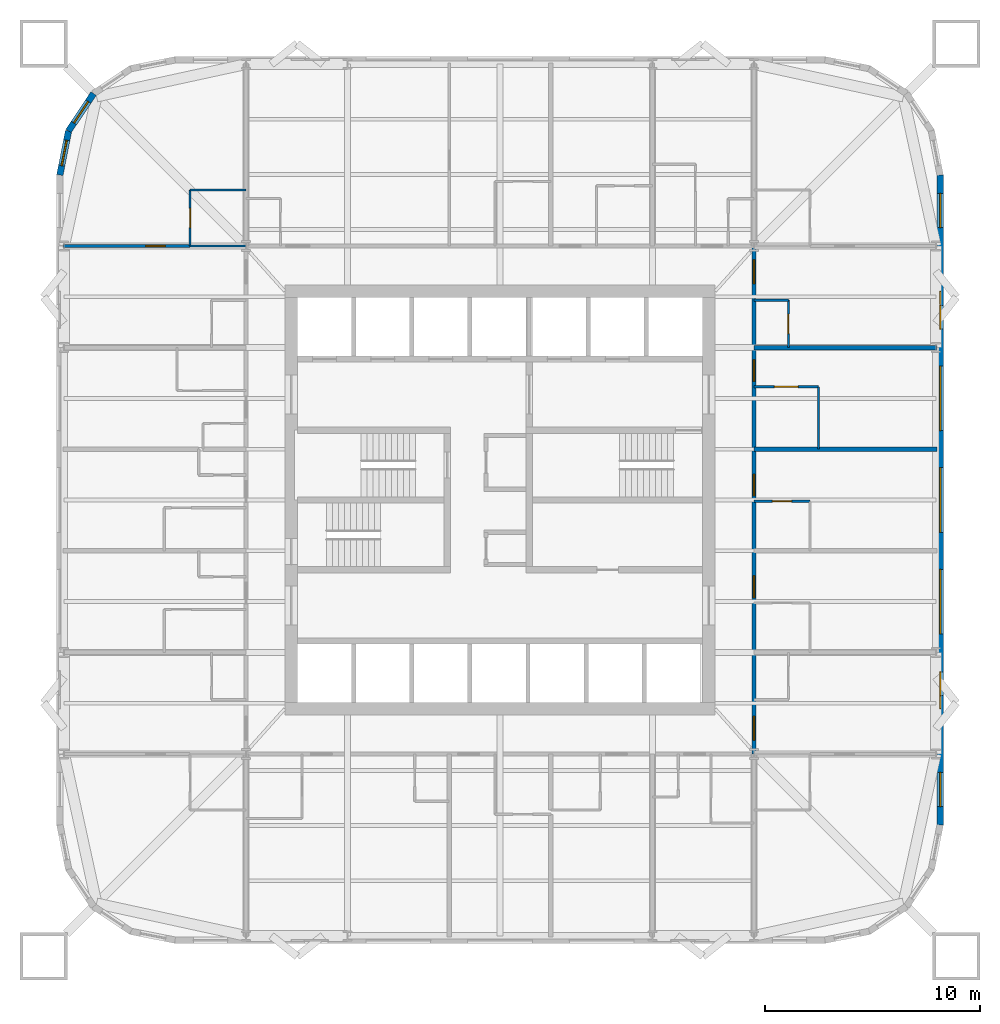
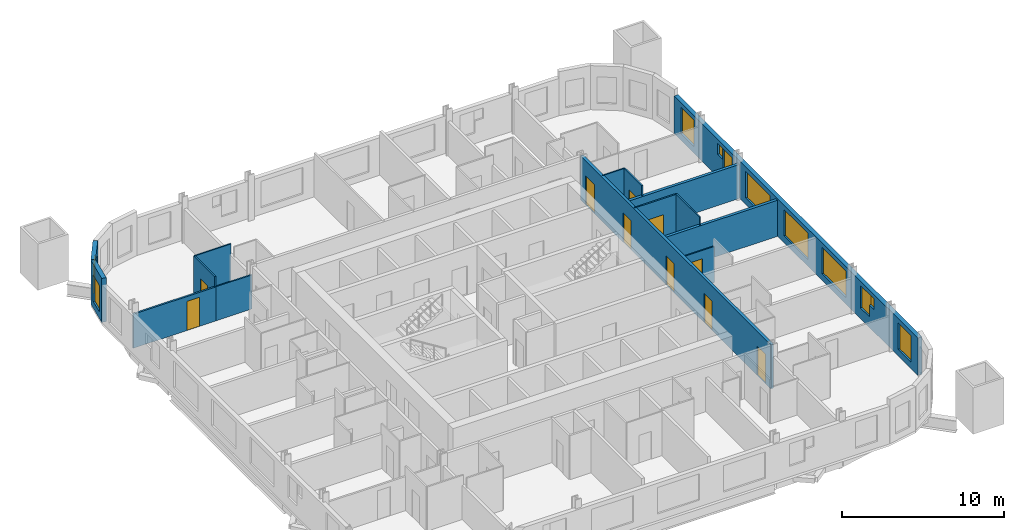
# One storey, part 7 of 10: 15 walls, 11 windows, 10 doors, 21 openings.
"""IFC4 building model written with IfcOpenShell, lengths in metres."""

from ifc_helpers import new_model, si_unit, direction, frame, frame_2d, origin, place, context, subcontext, project, spatial, rectangle, extrude, material, layer, layer_set, type_object, element, fill, save


model = new_model("IFC4")

# Units and contexts
model_context = context("Model", 3, precision=1e-05, world=origin(), true_north=direction((0.0, 1.0)))
body_context = subcontext(model_context, "Body", "Model", "MODEL_VIEW")
ifc_project = project(units=[si_unit("LENGTHUNIT", "METRE"), si_unit("AREAUNIT", "SQUARE_METRE"), si_unit("VOLUMEUNIT", "CUBIC_METRE"), si_unit("PLANEANGLEUNIT", "RADIAN"), si_unit("MASSUNIT", "GRAM", prefix="KILO")], contexts=[model_context])

# Site, building, storey
site_placement = place(None, origin())
site = spatial("IfcSite", under=ifc_project, at=site_placement, CompositionType="ELEMENT")
building_placement = place(site_placement, origin())
building = spatial("IfcBuilding", under=site, at=building_placement, Name="Turquesa Mirador Hotel Tower", CompositionType="ELEMENT")
storey_placement = place(building_placement, frame((0.0, 0.0, 138.89990234375)))
storey = spatial("IfcBuildingStorey", under=building, at=storey_placement, Name="L37", CompositionType="ELEMENT", Elevation=138.89990234375)

# Wall, opening, door
ifc_material_1 = material(Name="Gypsum board on steel studs", Category="steel")
ifc_layer_1 = layer(ifc_material_1, 0.10009765625)
ifc_layer_set_1 = layer_set([ifc_layer_1], Name="BATHROOM WALL 100")
wall_type_1 = type_object("IfcWallType", Name="BATHROOM WALL 100", PredefinedType="PARTITIONING", material=ifc_layer_set_1)
wall_1_placement = place(storey_placement, frame((66.800048828125, 44.93994140625, 0.0), z_axis=(0.0, 0.0, 1.0), x_axis=(1.0, 0.0, 0.0)))
wall_1 = element("IfcWall", 1, at=wall_1_placement, inside=storey, type_object=wall_type_1, Name="Partition L37 001", PredefinedType="PARTITIONING", context=body_context, shape_type="SweptSolid", body=[
    extrude(rectangle(XDim=2.599853515625, YDim=0.10009765625, at=frame_2d((1.2998046875, 0.0))), origin(), (0.0, 0.0, 1.0), 2.730712890625),
])
opening_1_placement = place(wall_1_placement, frame((0.85009765625, 0.0, 0.0)))
opening_1 = element("IfcOpeningElement", 2, at=opening_1_placement, cuts=wall_1, Name="Opening D02", PredefinedType="OPENING", context=body_context, shape_type="SweptSolid", body=[
    extrude(rectangle(XDim=0.89990234375, YDim=2.10009765625, at=frame_2d((0.449951171875, 1.050048828125))), frame((0.0, 0.06005859375, 0.0), z_axis=(0.0, -1.0, 0.0), x_axis=(1.0, 0.0, 0.0)), (0.0, 0.0, 1.0), 0.1201171875),
])
ifc_material_2 = material(Name="Timber veneered door", Category="wood")
door_type_1 = type_object("IfcDoorType", Name="DOOR 900X2100 EN-SUITE", OperationType="SINGLE_SWING_RIGHT", PredefinedType="DOOR", material=ifc_material_2)
door_1_placement = place(opening_1_placement, origin())
door_1 = element("IfcDoor", 3, at=door_1_placement, inside=storey, type_object=door_type_1, Name="Door 3709B", OperationType="SINGLE_SWING_RIGHT", OverallHeight=2.10009765625, OverallWidth=0.89990234375, PredefinedType="DOOR", context=body_context, shape_type="SweptSolid", body=[
    extrude(rectangle(XDim=0.89990234375, YDim=2.10009765625, at=frame_2d((0.449951171875, 1.050048828125))), frame((0.0, 0.02490234375, 0.0), z_axis=(0.0, -1.0, 0.0), x_axis=(1.0, 0.0, 0.0)), (0.0, 0.0, 1.0), 0.050048828125),
])
fill(opening_1, door_1)

# Walls
wall_2_placement = place(storey_placement, frame((40.60009765625, 56.800048828125, 0.0), z_axis=(0.0, 0.0, 1.0), x_axis=(1.0, 0.0, 0.0)))
element("IfcWall", 4, at=wall_2_placement, inside=storey, type_object=wall_type_1, Name="Partition L37 026", PredefinedType="PARTITIONING", context=body_context, shape_type="SweptSolid", body=[
    extrude(rectangle(XDim=2.599853515625, YDim=0.10009765625, at=frame_2d((1.2998046875, 0.0))), origin(), (0.0, 0.0, 1.0), 2.5732421875),
])
wall_3_placement = place(storey_placement, frame((40.60009765625, 59.39990234375, 0.0), z_axis=(0.0, 0.0, 1.0), x_axis=(1.0, 0.0, 0.0)))
element("IfcWall", 5, at=wall_3_placement, inside=storey, type_object=wall_type_1, Name="Partition L37 033", PredefinedType="PARTITIONING", context=body_context, shape_type="SweptSolid", body=[
    extrude(rectangle(XDim=2.599853515625, YDim=0.10009765625, at=frame_2d((1.2998046875, 0.0))), origin(), (0.0, 0.0, 1.0), 3.330078125),
])

# Wall, opening, door
wall_4_placement = place(storey_placement, frame((66.800048828125, 50.260009765625, 0.0), z_axis=(0.0, 0.0, 1.0), x_axis=(1.0, 0.0, 0.0)))
wall_4 = element("IfcWall", 6, at=wall_4_placement, inside=storey, type_object=wall_type_1, Name="Partition L37 043", PredefinedType="PARTITIONING", context=body_context, shape_type="SweptSolid", body=[
    extrude(rectangle(XDim=3.0, YDim=0.10009765625, at=frame_2d((1.5, 0.0))), origin(), (0.0, 0.0, 1.0), 3.330078125),
])
opening_2_placement = place(wall_4_placement, frame((0.949951171875, 0.0, 0.0)))
opening_2 = element("IfcOpeningElement", 7, at=opening_2_placement, cuts=wall_4, Name="Opening D16", PredefinedType="OPENING", context=body_context, shape_type="SweptSolid", body=[
    extrude(rectangle(XDim=1.10009765625, YDim=2.10009765625, at=frame_2d((0.550048828125, 1.050048828125))), frame((0.0, 0.06005859375, 0.0), z_axis=(0.0, -1.0, 0.0), x_axis=(1.0, 0.0, 0.0)), (0.0, 0.0, 1.0), 0.1201171875),
])
ifc_material_3 = material(Name="Timber veneered sliding door", Category="wood")
door_type_2 = type_object("IfcDoorType", Name="DOOR 1100X2100 ACCESSIBLE EN-SUITE", OperationType="SLIDING_TO_LEFT", PredefinedType="DOOR", material=ifc_material_3)
door_2_placement = place(opening_2_placement, origin())
door_2 = element("IfcDoor", 8, at=door_2_placement, inside=storey, type_object=door_type_2, Name="Door 3710B", OperationType="SLIDING_TO_LEFT", OverallHeight=2.10009765625, OverallWidth=1.10009765625, PredefinedType="DOOR", context=body_context, shape_type="SweptSolid", body=[
    extrude(rectangle(XDim=1.10009765625, YDim=2.10009765625, at=frame_2d((0.550048828125, 1.050048828125))), frame((0.0, 0.02490234375, 0.0), z_axis=(0.0, -1.0, 0.0), x_axis=(1.0, 0.0, 0.0)), (0.0, 0.0, 1.0), 0.050048828125),
])
fill(opening_2, door_2)

# Wall
wall_5_placement = place(storey_placement, frame((66.800048828125, 54.280029296875, 0.0), z_axis=(0.0, 0.0, 1.0), x_axis=(1.0, 0.0, 0.0)))
element("IfcWall", 9, at=wall_5_placement, inside=storey, type_object=wall_type_1, Name="Partition L37 047", PredefinedType="PARTITIONING", context=body_context, shape_type="SweptSolid", body=[
    extrude(rectangle(XDim=1.599853515625, YDim=0.10009765625, at=frame_2d((0.7998046875, 0.0))), origin(), (0.0, 0.0, 1.0), 3.330078125),
])

# Wall, opening, door
wall_6_placement = place(storey_placement, frame((40.60009765625, 56.800048828125, 0.0), z_axis=(0.0, 0.0, 1.0), x_axis=(0.0, 1.0, 0.0)))
wall_6 = element("IfcWall", 10, at=wall_6_placement, inside=storey, type_object=wall_type_1, Name="Partition L37 060", PredefinedType="PARTITIONING", context=body_context, shape_type="SweptSolid", body=[
    extrude(rectangle(XDim=2.599853515625, YDim=0.10009765625, at=frame_2d((1.2998046875, 0.0))), origin(), (0.0, 0.0, 1.0), 3.330078125),
])
opening_3_placement = place(wall_6_placement, frame((0.85009765625, 0.0, 0.0)))
opening_3 = element("IfcOpeningElement", 11, at=opening_3_placement, cuts=wall_6, Name="Opening D02", PredefinedType="OPENING", context=body_context, shape_type="SweptSolid", body=[
    extrude(rectangle(XDim=0.89990234375, YDim=2.10009765625, at=frame_2d((0.449951171875, 1.050048828125))), frame((0.0, 0.06005859375, 0.0), z_axis=(0.0, -1.0, 0.0), x_axis=(1.0, 0.0, 0.0)), (0.0, 0.0, 1.0), 0.1201171875),
])
door_3_placement = place(opening_3_placement, origin())
door_3 = element("IfcDoor", 12, at=door_3_placement, inside=storey, type_object=door_type_1, Name="Door 3715B", OperationType="SINGLE_SWING_RIGHT", OverallHeight=2.10009765625, OverallWidth=0.89990234375, PredefinedType="DOOR", context=body_context, shape_type="SweptSolid", body=[
    extrude(rectangle(XDim=0.89990234375, YDim=2.10009765625, at=frame_2d((0.449951171875, 1.050048828125))), frame((0.0, 0.02490234375, 0.0), z_axis=(0.0, -1.0, 0.0), x_axis=(1.0, 0.0, 0.0)), (0.0, 0.0, 1.0), 0.050048828125),
])
fill(opening_3, door_3)

wall_7_placement = place(storey_placement, frame((68.39990234375, 52.080078125, 0.0), z_axis=(0.0, 0.0, 1.0), x_axis=(0.0, 1.0, 0.0)))
wall_7 = element("IfcWall", 13, at=wall_7_placement, inside=storey, type_object=wall_type_1, Name="Partition L37 073", PredefinedType="PARTITIONING", context=body_context, shape_type="SweptSolid", body=[
    extrude(rectangle(XDim=2.199951171875, YDim=0.10009765625, at=frame_2d((1.10009765625, 0.0))), origin(), (0.0, 0.0, 1.0), 3.330078125),
])
opening_4_placement = place(wall_7_placement, frame((0.64990234375, 0.0, 0.0)))
opening_4 = element("IfcOpeningElement", 14, at=opening_4_placement, cuts=wall_7, Name="Opening D06", PredefinedType="OPENING", context=body_context, shape_type="SweptSolid", body=[
    extrude(rectangle(XDim=0.89990234375, YDim=2.10009765625, at=frame_2d((0.449951171875, 1.050048828125))), frame((0.0, 0.06005859375, 0.0), z_axis=(0.0, -1.0, 0.0), x_axis=(1.0, 0.0, 0.0)), (0.0, 0.0, 1.0), 0.1201171875),
])
ifc_material_4 = material(Name="Laminate door", Category="wood")
door_type_3 = type_object("IfcDoorType", Name="DOOR 900X2100 WC", OperationType="SINGLE_SWING_LEFT", PredefinedType="DOOR", material=ifc_material_4)
door_4_placement = place(opening_4_placement, origin())
door_4 = element("IfcDoor", 15, at=door_4_placement, inside=storey, type_object=door_type_3, Name="Door 3714W", OperationType="SINGLE_SWING_LEFT", OverallHeight=2.10009765625, OverallWidth=0.89990234375, PredefinedType="DOOR", context=body_context, shape_type="SweptSolid", body=[
    extrude(rectangle(XDim=0.89990234375, YDim=2.10009765625, at=frame_2d((0.449951171875, 1.050048828125))), frame((0.0, 0.02490234375, 0.0), z_axis=(0.0, -1.0, 0.0), x_axis=(1.0, 0.0, 0.0)), (0.0, 0.0, 1.0), 0.050048828125),
])
fill(opening_4, door_4)

# Wall
wall_8_placement = place(storey_placement, frame((69.800048828125, 47.360107421875, 0.0), z_axis=(0.0, 0.0, 1.0), x_axis=(0.0, 1.0, 0.0)))
element("IfcWall", 16, at=wall_8_placement, inside=storey, type_object=wall_type_1, Name="Partition L37 078", PredefinedType="PARTITIONING", context=body_context, shape_type="SweptSolid", body=[
    extrude(rectangle(XDim=2.89990234375, YDim=0.10009765625, at=frame_2d((1.449951171875, 0.0))), origin(), (0.0, 0.0, 1.0), 3.330078125),
])

# Wall, openings, doors
ifc_material_5 = material(Name="Fire-rated gypsum board on steel studs", Category="steel")
ifc_layer_2 = layer(ifc_material_5, 0.199951171875)
ifc_layer_set_2 = layer_set([ifc_layer_2], Name="CORRIDOR WALL 200")
wall_type_2 = type_object("IfcWallType", Name="CORRIDOR WALL 200", PredefinedType="PARTITIONING", material=ifc_layer_set_2)
wall_9_placement = place(storey_placement, frame((66.800048828125, 33.199951171875, 0.0), z_axis=(0.0, 0.0, 1.0), x_axis=(0.0, 1.0, 0.0)))
wall_9 = element("IfcWall", 17, at=wall_9_placement, inside=storey, type_object=wall_type_2, Name="Partition L37 069", PredefinedType="PARTITIONING", context=body_context, shape_type="SweptSolid", body=[
    extrude(rectangle(XDim=23.60009765625, YDim=0.199951171875, at=frame_2d((11.800048828125, 0.0))), origin(), (0.0, 0.0, 1.0), 3.330078125),
])
opening_5_placement = place(wall_9_placement, frame((7.27001953125, 0.0, 0.0)))
opening_5 = element("IfcOpeningElement", 18, at=opening_5_placement, cuts=wall_9, Name="Opening D01", PredefinedType="OPENING", context=body_context, shape_type="SweptSolid", body=[
    extrude(rectangle(XDim=1.0, YDim=2.199951171875, at=frame_2d((0.5, 1.10009765625))), frame((0.0, 0.10986328125, 0.0), z_axis=(0.0, -1.0, 0.0), x_axis=(1.0, 0.0, 0.0)), (0.0, 0.0, 1.0), 0.219970703125),
])
opening_6_placement = place(wall_9_placement, frame((11.989990234375, 0.0, 0.0)))
opening_6 = element("IfcOpeningElement", 19, at=opening_6_placement, cuts=wall_9, Name="Opening D01", PredefinedType="OPENING", context=body_context, shape_type="SweptSolid", body=[
    extrude(rectangle(XDim=1.0, YDim=2.199951171875, at=frame_2d((0.5, 1.10009765625))), frame((0.0, 0.10986328125, 0.0), z_axis=(0.0, -1.0, 0.0), x_axis=(1.0, 0.0, 0.0)), (0.0, 0.0, 1.0), 0.219970703125),
])
opening_7_placement = place(wall_9_placement, frame((17.31005859375, 0.0, 0.0)))
opening_7 = element("IfcOpeningElement", 20, at=opening_7_placement, cuts=wall_9, Name="Opening D01", PredefinedType="OPENING", context=body_context, shape_type="SweptSolid", body=[
    extrude(rectangle(XDim=1.0, YDim=2.199951171875, at=frame_2d((0.5, 1.10009765625))), frame((0.0, 0.10986328125, 0.0), z_axis=(0.0, -1.0, 0.0), x_axis=(1.0, 0.0, 0.0)), (0.0, 0.0, 1.0), 0.219970703125),
])
opening_8_placement = place(wall_9_placement, frame((21.85009765625, 0.0, 0.0)))
opening_8 = element("IfcOpeningElement", 21, at=opening_8_placement, cuts=wall_9, Name="Opening D15", PredefinedType="OPENING", context=body_context, shape_type="SweptSolid", body=[
    extrude(rectangle(XDim=1.10009765625, YDim=2.199951171875, at=frame_2d((0.550048828125, 1.10009765625))), frame((0.0, 0.10986328125, 0.0), z_axis=(0.0, -1.0, 0.0), x_axis=(1.0, 0.0, 0.0)), (0.0, 0.0, 1.0), 0.219970703125),
])
opening_9_placement = place(wall_9_placement, frame((0.64990234375, 0.0, 0.0)))
opening_9 = element("IfcOpeningElement", 22, at=opening_9_placement, cuts=wall_9, Name="Opening D15", PredefinedType="OPENING", context=body_context, shape_type="SweptSolid", body=[
    extrude(rectangle(XDim=1.10009765625, YDim=2.199951171875, at=frame_2d((0.550048828125, 1.10009765625))), frame((0.0, 0.10986328125, 0.0), z_axis=(0.0, -1.0, 0.0), x_axis=(1.0, 0.0, 0.0)), (0.0, 0.0, 1.0), 0.219970703125),
])
ifc_material_6 = material(Name="Timber veneered fire door", Category="wood")
door_type_4 = type_object("IfcDoorType", Name="DOOR 1000X2200 GUEST ENTRY", OperationType="SINGLE_SWING_LEFT", PredefinedType="DOOR", material=ifc_material_6)
door_5_placement = place(opening_5_placement, origin())
door_5 = element("IfcDoor", 23, at=door_5_placement, inside=storey, type_object=door_type_4, Name="Door 3708", OperationType="SINGLE_SWING_LEFT", OverallHeight=2.199951171875, OverallWidth=1.0, PredefinedType="DOOR", context=body_context, shape_type="SweptSolid", body=[
    extrude(rectangle(XDim=1.0, YDim=2.199951171875, at=frame_2d((0.5, 1.10009765625))), frame((0.0, 0.02490234375, 0.0), z_axis=(0.0, -1.0, 0.0), x_axis=(1.0, 0.0, 0.0)), (0.0, 0.0, 1.0), 0.050048828125),
])
fill(opening_5, door_5)
door_6_placement = place(opening_6_placement, origin())
door_6 = element("IfcDoor", 24, at=door_6_placement, inside=storey, type_object=door_type_4, Name="Door 3709", OperationType="SINGLE_SWING_LEFT", OverallHeight=2.199951171875, OverallWidth=1.0, PredefinedType="DOOR", context=body_context, shape_type="SweptSolid", body=[
    extrude(rectangle(XDim=1.0, YDim=2.199951171875, at=frame_2d((0.5, 1.10009765625))), frame((0.0, 0.02490234375, 0.0), z_axis=(0.0, -1.0, 0.0), x_axis=(1.0, 0.0, 0.0)), (0.0, 0.0, 1.0), 0.050048828125),
])
fill(opening_6, door_6)
door_7_placement = place(opening_7_placement, origin())
door_7 = element("IfcDoor", 25, at=door_7_placement, inside=storey, type_object=door_type_4, Name="Door 3710", OperationType="SINGLE_SWING_LEFT", OverallHeight=2.199951171875, OverallWidth=1.0, PredefinedType="DOOR", context=body_context, shape_type="SweptSolid", body=[
    extrude(rectangle(XDim=1.0, YDim=2.199951171875, at=frame_2d((0.5, 1.10009765625))), frame((0.0, 0.02490234375, 0.0), z_axis=(0.0, -1.0, 0.0), x_axis=(1.0, 0.0, 0.0)), (0.0, 0.0, 1.0), 0.050048828125),
])
fill(opening_7, door_7)
ifc_material_7 = material(Name="Timber veneered fire door", Category="wood")
door_type_5 = type_object("IfcDoorType", Name="DOOR 1100X2200 SUITE ENTRY", OperationType="SINGLE_SWING_LEFT", PredefinedType="DOOR", material=ifc_material_7)
door_8_placement = place(opening_8_placement, origin())
door_8 = element("IfcDoor", 26, at=door_8_placement, inside=storey, type_object=door_type_5, Name="Door 3714", OperationType="SINGLE_SWING_LEFT", OverallHeight=2.199951171875, OverallWidth=1.10009765625, PredefinedType="DOOR", context=body_context, shape_type="SweptSolid", body=[
    extrude(rectangle(XDim=1.10009765625, YDim=2.199951171875, at=frame_2d((0.550048828125, 1.10009765625))), frame((0.0, 0.02490234375, 0.0), z_axis=(0.0, -1.0, 0.0), x_axis=(1.0, 0.0, 0.0)), (0.0, 0.0, 1.0), 0.050048828125),
])
fill(opening_8, door_8)
door_9_placement = place(opening_9_placement, origin())
door_9 = element("IfcDoor", 27, at=door_9_placement, inside=storey, type_object=door_type_5, Name="Door 3717", OperationType="SINGLE_SWING_LEFT", OverallHeight=2.199951171875, OverallWidth=1.10009765625, PredefinedType="DOOR", context=body_context, shape_type="SweptSolid", body=[
    extrude(rectangle(XDim=1.10009765625, YDim=2.199951171875, at=frame_2d((0.550048828125, 1.10009765625))), frame((0.0, 0.02490234375, 0.0), z_axis=(0.0, -1.0, 0.0), x_axis=(1.0, 0.0, 0.0)), (0.0, 0.0, 1.0), 0.050048828125),
])
fill(opening_9, door_9)

# Wall, openings, windows
ifc_material_8 = material(Name="Limestone cladding on concrete block", Category="masonry")
ifc_layer_3 = layer(ifc_material_8, 0.300048828125)
ifc_layer_set_3 = layer_set([ifc_layer_3], Name="FACADE WALL 300 STONE SCREEN")
wall_type_3 = type_object("IfcWallType", Name="FACADE WALL 300 STONE SCREEN", PredefinedType="SOLIDWALL", material=ifc_layer_set_3)
wall_10_placement = place(storey_placement, frame((75.449951171875, 29.89990234375, 0.0), z_axis=(0.0, 0.0, 1.0), x_axis=(0.0, 1.0, 0.0)))
wall_10 = element("IfcWall", 28, at=wall_10_placement, inside=storey, type_object=wall_type_3, Name="Facade wall L37 04", PredefinedType="SOLIDWALL", context=body_context, shape_type="SweptSolid", body=[
    extrude(rectangle(XDim=30.2001953125, YDim=0.300048828125, at=frame_2d((15.10009765625, 0.0))), origin(), (0.0, 0.0, 1.0), 2.830078125),
])
opening_10_placement = place(wall_10_placement, frame((0.85009765625, 0.0, 0.5)))
opening_10 = element("IfcOpeningElement", 29, at=opening_10_placement, cuts=wall_10, Name="Opening WN3", PredefinedType="OPENING", context=body_context, shape_type="SweptSolid", body=[
    extrude(rectangle(XDim=1.60009765625, YDim=2.0, at=frame_2d((0.800048828125, 1.0))), frame((0.0, 0.159912109375, 0.0), z_axis=(0.0, -1.0, 0.0), x_axis=(1.0, 0.0, 0.0)), (0.0, 0.0, 1.0), 0.320068359375),
])
opening_11_placement = place(wall_10_placement, frame((6.010009765625, 0.0, 0.800048828125)))
opening_11 = element("IfcOpeningElement", 30, at=opening_11_placement, cuts=wall_10, Name="Opening WN26", PredefinedType="OPENING", context=body_context, shape_type="SweptSolid", body=[
    extrude(rectangle(XDim=1.10009765625, YDim=1.699951171875, at=frame_2d((0.550048828125, 0.85009765625))), frame((0.0, 0.159912109375, 0.0), z_axis=(0.0, -1.0, 0.0), x_axis=(1.0, 0.0, 0.0)), (0.0, 0.0, 1.0), 0.320068359375),
])
opening_12_placement = place(wall_10_placement, frame((8.8798828125, 0.0, 0.5)))
opening_12 = element("IfcOpeningElement", 31, at=opening_12_placement, cuts=wall_10, Name="Opening WN1", PredefinedType="OPENING", context=body_context, shape_type="SweptSolid", body=[
    extrude(rectangle(XDim=3.0, YDim=2.0, at=frame_2d((1.5, 1.0))), frame((0.0, 0.159912109375, 0.0), z_axis=(0.0, -1.0, 0.0), x_axis=(1.0, 0.0, 0.0)), (0.0, 0.0, 1.0), 0.320068359375),
])
opening_13_placement = place(wall_10_placement, frame((13.60009765625, 0.0, 0.5)))
opening_13 = element("IfcOpeningElement", 32, at=opening_13_placement, cuts=wall_10, Name="Opening WN1", PredefinedType="OPENING", context=body_context, shape_type="SweptSolid", body=[
    extrude(rectangle(XDim=3.0, YDim=2.0, at=frame_2d((1.5, 1.0))), frame((0.0, 0.159912109375, 0.0), z_axis=(0.0, -1.0, 0.0), x_axis=(1.0, 0.0, 0.0)), (0.0, 0.0, 1.0), 0.320068359375),
])
opening_14_placement = place(wall_10_placement, frame((18.320068359375, 0.0, 0.5)))
opening_14 = element("IfcOpeningElement", 33, at=opening_14_placement, cuts=wall_10, Name="Opening WN1", PredefinedType="OPENING", context=body_context, shape_type="SweptSolid", body=[
    extrude(rectangle(XDim=3.0, YDim=2.0, at=frame_2d((1.5, 1.0))), frame((0.0, 0.159912109375, 0.0), z_axis=(0.0, -1.0, 0.0), x_axis=(1.0, 0.0, 0.0)), (0.0, 0.0, 1.0), 0.320068359375),
])
opening_15_placement = place(wall_10_placement, frame((23.0400390625, 0.0, 0.800048828125)))
opening_15 = element("IfcOpeningElement", 34, at=opening_15_placement, cuts=wall_10, Name="Opening WN26", PredefinedType="OPENING", context=body_context, shape_type="SweptSolid", body=[
    extrude(rectangle(XDim=1.10009765625, YDim=1.699951171875, at=frame_2d((0.550048828125, 0.85009765625))), frame((0.0, 0.159912109375, 0.0), z_axis=(0.0, -1.0, 0.0), x_axis=(1.0, 0.0, 0.0)), (0.0, 0.0, 1.0), 0.320068359375),
])
opening_16_placement = place(wall_10_placement, frame((27.75, 0.0, 0.5)))
opening_16 = element("IfcOpeningElement", 35, at=opening_16_placement, cuts=wall_10, Name="Opening WN3", PredefinedType="OPENING", context=body_context, shape_type="SweptSolid", body=[
    extrude(rectangle(XDim=1.60009765625, YDim=2.0, at=frame_2d((0.800048828125, 1.0))), frame((0.0, 0.159912109375, 0.0), z_axis=(0.0, -1.0, 0.0), x_axis=(1.0, 0.0, 0.0)), (0.0, 0.0, 1.0), 0.320068359375),
])
opening_17_placement = place(wall_10_placement, frame((5.409912109375, 0.0, 1.699951171875)))
opening_17 = element("IfcOpeningElement", 36, at=opening_17_placement, cuts=wall_10, Name="Opening WN28", PredefinedType="OPENING", context=body_context, shape_type="SweptSolid", body=[
    extrude(rectangle(XDim=0.60009765625, YDim=0.800048828125, at=frame_2d((0.300048828125, 0.39990234375))), frame((0.0, 0.159912109375, 0.0), z_axis=(0.0, -1.0, 0.0), x_axis=(1.0, 0.0, 0.0)), (0.0, 0.0, 1.0), 0.320068359375),
])
opening_18_placement = place(wall_10_placement, frame((24.18994140625, 0.0, 1.699951171875)))
opening_18 = element("IfcOpeningElement", 37, at=opening_18_placement, cuts=wall_10, Name="Opening WN28", PredefinedType="OPENING", context=body_context, shape_type="SweptSolid", body=[
    extrude(rectangle(XDim=0.60009765625, YDim=0.800048828125, at=frame_2d((0.300048828125, 0.39990234375))), frame((0.0, 0.159912109375, 0.0), z_axis=(0.0, -1.0, 0.0), x_axis=(1.0, 0.0, 0.0)), (0.0, 0.0, 1.0), 0.320068359375),
])
ifc_material_9 = material(Name="Ceramic-fritted laminated glass", Category="glass")
window_type_1 = type_object("IfcWindowType", Name="FRITTED WINDOW 1100X1700", PartitioningType="DOUBLE_PANEL_HORIZONTAL", PredefinedType="WINDOW", material=ifc_material_9)
window_1_placement = place(opening_11_placement, origin())
window_1 = element("IfcWindow", 38, at=window_1_placement, inside=storey, type_object=window_type_1, Name="Window L37", OverallHeight=1.699951171875, OverallWidth=1.10009765625, PartitioningType="SINGLE_PANEL", PredefinedType="WINDOW", context=body_context, shape_type="SweptSolid", body=[
    extrude(rectangle(XDim=1.10009765625, YDim=1.699951171875, at=frame_2d((0.550048828125, 0.85009765625))), frame((0.0, 0.030029296875, 0.0), z_axis=(0.0, -1.0, 0.0), x_axis=(1.0, 0.0, 0.0)), (0.0, 0.0, 1.0), 0.06005859375),
])
fill(opening_11, window_1)
window_2_placement = place(opening_15_placement, origin())
window_2 = element("IfcWindow", 39, at=window_2_placement, inside=storey, type_object=window_type_1, Name="Window L37", OverallHeight=1.699951171875, OverallWidth=1.10009765625, PartitioningType="SINGLE_PANEL", PredefinedType="WINDOW", context=body_context, shape_type="SweptSolid", body=[
    extrude(rectangle(XDim=1.10009765625, YDim=1.699951171875, at=frame_2d((0.550048828125, 0.85009765625))), frame((0.0, 0.030029296875, 0.0), z_axis=(0.0, -1.0, 0.0), x_axis=(1.0, 0.0, 0.0)), (0.0, 0.0, 1.0), 0.06005859375),
])
fill(opening_15, window_2)
ifc_material_10 = material(Name="Ceramic-fritted laminated glass", Category="glass")
window_type_2 = type_object("IfcWindowType", Name="FRITTED WINDOW 1600X2000", PartitioningType="DOUBLE_PANEL_HORIZONTAL", PredefinedType="WINDOW", material=ifc_material_10)
window_3_placement = place(opening_10_placement, origin())
window_3 = element("IfcWindow", 40, at=window_3_placement, inside=storey, type_object=window_type_2, Name="Window L37", OverallHeight=2.0, OverallWidth=1.60009765625, PartitioningType="SINGLE_PANEL", PredefinedType="WINDOW", context=body_context, shape_type="SweptSolid", body=[
    extrude(rectangle(XDim=1.60009765625, YDim=2.0, at=frame_2d((0.800048828125, 1.0))), frame((0.0, 0.030029296875, 0.0), z_axis=(0.0, -1.0, 0.0), x_axis=(1.0, 0.0, 0.0)), (0.0, 0.0, 1.0), 0.06005859375),
])
fill(opening_10, window_3)
window_4_placement = place(opening_16_placement, origin())
window_4 = element("IfcWindow", 41, at=window_4_placement, inside=storey, type_object=window_type_2, Name="Window L37", OverallHeight=2.0, OverallWidth=1.60009765625, PartitioningType="SINGLE_PANEL", PredefinedType="WINDOW", context=body_context, shape_type="SweptSolid", body=[
    extrude(rectangle(XDim=1.60009765625, YDim=2.0, at=frame_2d((0.800048828125, 1.0))), frame((0.0, 0.030029296875, 0.0), z_axis=(0.0, -1.0, 0.0), x_axis=(1.0, 0.0, 0.0)), (0.0, 0.0, 1.0), 0.06005859375),
])
fill(opening_16, window_4)
ifc_material_11 = material(Name="Ceramic-fritted laminated glass", Category="glass")
window_type_3 = type_object("IfcWindowType", Name="FRITTED WINDOW 3000X2000", PartitioningType="DOUBLE_PANEL_HORIZONTAL", PredefinedType="WINDOW", material=ifc_material_11)
window_5_placement = place(opening_12_placement, origin())
window_5 = element("IfcWindow", 42, at=window_5_placement, inside=storey, type_object=window_type_3, Name="Window L37", OverallHeight=2.0, OverallWidth=3.0, PartitioningType="SINGLE_PANEL", PredefinedType="WINDOW", context=body_context, shape_type="SweptSolid", body=[
    extrude(rectangle(XDim=3.0, YDim=2.0, at=frame_2d((1.5, 1.0))), frame((0.0, 0.030029296875, 0.0), z_axis=(0.0, -1.0, 0.0), x_axis=(1.0, 0.0, 0.0)), (0.0, 0.0, 1.0), 0.06005859375),
])
fill(opening_12, window_5)
window_6_placement = place(opening_13_placement, origin())
window_6 = element("IfcWindow", 43, at=window_6_placement, inside=storey, type_object=window_type_3, Name="Window L37", OverallHeight=2.0, OverallWidth=3.0, PartitioningType="SINGLE_PANEL", PredefinedType="WINDOW", context=body_context, shape_type="SweptSolid", body=[
    extrude(rectangle(XDim=3.0, YDim=2.0, at=frame_2d((1.5, 1.0))), frame((0.0, 0.030029296875, 0.0), z_axis=(0.0, -1.0, 0.0), x_axis=(1.0, 0.0, 0.0)), (0.0, 0.0, 1.0), 0.06005859375),
])
fill(opening_13, window_6)
window_7_placement = place(opening_14_placement, origin())
window_7 = element("IfcWindow", 44, at=window_7_placement, inside=storey, type_object=window_type_3, Name="Window L37", OverallHeight=2.0, OverallWidth=3.0, PartitioningType="SINGLE_PANEL", PredefinedType="WINDOW", context=body_context, shape_type="SweptSolid", body=[
    extrude(rectangle(XDim=3.0, YDim=2.0, at=frame_2d((1.5, 1.0))), frame((0.0, 0.030029296875, 0.0), z_axis=(0.0, -1.0, 0.0), x_axis=(1.0, 0.0, 0.0)), (0.0, 0.0, 1.0), 0.06005859375),
])
fill(opening_14, window_7)
ifc_material_12 = material(Name="Ceramic-fritted laminated glass", Category="glass")
window_type_4 = type_object("IfcWindowType", Name="FRITTED WINDOW 600X800", PartitioningType="DOUBLE_PANEL_HORIZONTAL", PredefinedType="WINDOW", material=ifc_material_12)
window_8_placement = place(opening_17_placement, origin())
window_8 = element("IfcWindow", 45, at=window_8_placement, inside=storey, type_object=window_type_4, Name="Window L37", OverallHeight=0.800048828125, OverallWidth=0.60009765625, PartitioningType="SINGLE_PANEL", PredefinedType="WINDOW", context=body_context, shape_type="SweptSolid", body=[
    extrude(rectangle(XDim=0.60009765625, YDim=0.800048828125, at=frame_2d((0.300048828125, 0.39990234375))), frame((0.0, 0.030029296875, 0.0), z_axis=(0.0, -1.0, 0.0), x_axis=(1.0, 0.0, 0.0)), (0.0, 0.0, 1.0), 0.06005859375),
])
fill(opening_17, window_8)
window_9_placement = place(opening_18_placement, origin())
window_9 = element("IfcWindow", 46, at=window_9_placement, inside=storey, type_object=window_type_4, Name="Window L37", OverallHeight=0.800048828125, OverallWidth=0.60009765625, PartitioningType="SINGLE_PANEL", PredefinedType="WINDOW", context=body_context, shape_type="SweptSolid", body=[
    extrude(rectangle(XDim=0.60009765625, YDim=0.800048828125, at=frame_2d((0.300048828125, 0.39990234375))), frame((0.0, 0.030029296875, 0.0), z_axis=(0.0, -1.0, 0.0), x_axis=(1.0, 0.0, 0.0)), (0.0, 0.0, 1.0), 0.06005859375),
])
fill(opening_18, window_9)

# Wall, opening, window
wall_11_placement = place(storey_placement, frame((36.116943359375, 63.883056640625, 0.0), z_axis=(0.0, 0.0, 1.0), x_axis=(-0.555563607591, -0.831474039234, 0.0)))
wall_11 = element("IfcWall", 47, at=wall_11_placement, inside=storey, type_object=wall_type_3, Name="Facade wall L37 12", PredefinedType="SOLIDWALL", context=body_context, shape_type="SweptSolid", body=[
    extrude(rectangle(XDim=2.08740234375, YDim=0.300048828125, at=frame_2d((1.043701171875, 0.0))), origin(), (0.0, 0.0, 1.0), 3.330078125),
])
opening_19_placement = place(wall_11_placement, frame((0.443603515625, 0.0, 0.5)))
opening_19 = element("IfcOpeningElement", 48, at=opening_19_placement, cuts=wall_11, Name="Opening WN4", PredefinedType="OPENING", context=body_context, shape_type="SweptSolid", body=[
    extrude(rectangle(XDim=1.199951171875, YDim=2.0, at=frame_2d((0.60009765625, 1.0))), frame((0.0, 0.159912109375, 0.0), z_axis=(0.0, -1.0, 0.0), x_axis=(1.0, 0.0, 0.0)), (0.0, 0.0, 1.0), 0.320068359375),
])
ifc_material_13 = material(Name="Ceramic-fritted laminated glass", Category="glass")
window_type_5 = type_object("IfcWindowType", Name="FRITTED CORNER WINDOW 1200X2000", PartitioningType="DOUBLE_PANEL_HORIZONTAL", PredefinedType="WINDOW", material=ifc_material_13)
window_10_placement = place(opening_19_placement, origin())
window_10 = element("IfcWindow", 49, at=window_10_placement, inside=storey, type_object=window_type_5, Name="Window L37", OverallHeight=2.0, OverallWidth=1.199951171875, PartitioningType="SINGLE_PANEL", PredefinedType="WINDOW", context=body_context, shape_type="SweptSolid", body=[
    extrude(rectangle(XDim=1.199951171875, YDim=2.0, at=frame_2d((0.60009765625, 1.0))), frame((0.0, 0.030029296875, 0.0), z_axis=(0.0, -1.0, 0.0), x_axis=(1.0, 0.0, 0.0)), (0.0, 0.0, 1.0), 0.06005859375),
])
fill(opening_19, window_10)

wall_12_placement = place(storey_placement, frame((34.957275390625, 62.1474609375, 0.0), z_axis=(0.0, 0.0, 1.0), x_axis=(-0.195081421501, -0.980787050784, 0.0)))
wall_12 = element("IfcWall", 50, at=wall_12_placement, inside=storey, type_object=wall_type_3, Name="Facade wall L37 13", PredefinedType="SOLIDWALL", context=body_context, shape_type="SweptSolid", body=[
    extrude(rectangle(XDim=2.08740234375, YDim=0.300048828125, at=frame_2d((1.043701171875, 0.0))), origin(), (0.0, 0.0, 1.0), 3.330078125),
])
opening_20_placement = place(wall_12_placement, frame((0.443603515625, 0.0, 0.5)))
opening_20 = element("IfcOpeningElement", 51, at=opening_20_placement, cuts=wall_12, Name="Opening WN4", PredefinedType="OPENING", context=body_context, shape_type="SweptSolid", body=[
    extrude(rectangle(XDim=1.199951171875, YDim=2.0, at=frame_2d((0.60009765625, 1.0))), frame((0.0, 0.159912109375, 0.0), z_axis=(0.0, -1.0, 0.0), x_axis=(1.0, 0.0, 0.0)), (0.0, 0.0, 1.0), 0.320068359375),
])
window_11_placement = place(opening_20_placement, origin())
window_11 = element("IfcWindow", 52, at=window_11_placement, inside=storey, type_object=window_type_5, Name="Window L37", OverallHeight=2.0, OverallWidth=1.199951171875, PartitioningType="SINGLE_PANEL", PredefinedType="WINDOW", context=body_context, shape_type="SweptSolid", body=[
    extrude(rectangle(XDim=1.199951171875, YDim=2.0, at=frame_2d((0.60009765625, 1.0))), frame((0.0, 0.030029296875, 0.0), z_axis=(0.0, -1.0, 0.0), x_axis=(1.0, 0.0, 0.0)), (0.0, 0.0, 1.0), 0.06005859375),
])
fill(opening_20, window_11)

# Walls
ifc_material_14 = material(Name="Fire-rated gypsum board on steel studs", Category="steel")
ifc_layer_4 = layer(ifc_material_14, 0.199951171875)
ifc_layer_set_4 = layer_set([ifc_layer_4], Name="PARTY WALL 200")
wall_type_4 = type_object("IfcWallType", Name="PARTY WALL 200", PredefinedType="PARTITIONING", material=ifc_layer_set_4)
wall_13_placement = place(storey_placement, frame((66.800048828125, 47.360107421875, 0.0), z_axis=(0.0, 0.0, 1.0), x_axis=(1.0, 0.0, 0.0)))
element("IfcWall", 53, at=wall_13_placement, inside=storey, type_object=wall_type_4, Name="Partition L37 040", PredefinedType="PARTITIONING", context=body_context, shape_type="SweptSolid", body=[
    extrude(rectangle(XDim=8.5, YDim=0.199951171875, at=frame_2d((4.25, 0.0))), origin(), (0.0, 0.0, 1.0), 2.730712890625),
])
wall_14_placement = place(storey_placement, frame((66.800048828125, 52.080078125, 0.0), z_axis=(0.0, 0.0, 1.0), x_axis=(1.0, 0.0, 0.0)))
element("IfcWall", 54, at=wall_14_placement, inside=storey, type_object=wall_type_4, Name="Partition L37 045", PredefinedType="PARTITIONING", context=body_context, shape_type="SweptSolid", body=[
    extrude(rectangle(XDim=8.5, YDim=0.199951171875, at=frame_2d((4.25, 0.0))), origin(), (0.0, 0.0, 1.0), 2.5732421875),
])

# Wall, opening, door
ifc_material_15 = material(Name="Acoustic gypsum board on steel studs", Category="steel")
ifc_layer_5 = layer(ifc_material_15, 0.125)
ifc_layer_set_5 = layer_set([ifc_layer_5], Name="SUITE PARTITION 125")
wall_type_5 = type_object("IfcWallType", Name="SUITE PARTITION 125", PredefinedType="PARTITIONING", material=ifc_layer_set_5)
wall_15_placement = place(storey_placement, frame((34.699951171875, 56.800048828125, 0.0), z_axis=(0.0, 0.0, 1.0), x_axis=(1.0, 0.0, 0.0)))
wall_15 = element("IfcWall", 55, at=wall_15_placement, inside=storey, type_object=wall_type_5, Name="Partition L37 029", PredefinedType="PARTITIONING", context=body_context, shape_type="SweptSolid", body=[
    extrude(rectangle(XDim=5.900146484375, YDim=0.125, at=frame_2d((2.9501953125, 0.0))), origin(), (0.0, 0.0, 1.0), 2.5732421875),
])
opening_21_placement = place(wall_15_placement, frame((3.85009765625, 0.0, 0.0)))
opening_21 = element("IfcOpeningElement", 56, at=opening_21_placement, cuts=wall_15, Name="Opening D17", PredefinedType="OPENING", context=body_context, shape_type="SweptSolid", body=[
    extrude(rectangle(XDim=0.89990234375, YDim=2.199951171875, at=frame_2d((0.449951171875, 1.10009765625))), frame((0.0, 0.072509765625, 0.0), z_axis=(0.0, -1.0, 0.0), x_axis=(1.0, 0.0, 0.0)), (0.0, 0.0, 1.0), 0.14501953125),
])
ifc_material_16 = material(Name="Timber veneered door", Category="wood")
door_type_6 = type_object("IfcDoorType", Name="DOOR 900X2200 SUITE INTERNAL", OperationType="SINGLE_SWING_LEFT", PredefinedType="DOOR", material=ifc_material_16)
door_10_placement = place(opening_21_placement, origin())
door_10 = element("IfcDoor", 57, at=door_10_placement, inside=storey, type_object=door_type_6, Name="Door 3715R", OperationType="SINGLE_SWING_LEFT", OverallHeight=2.199951171875, OverallWidth=0.89990234375, PredefinedType="DOOR", context=body_context, shape_type="SweptSolid", body=[
    extrude(rectangle(XDim=0.89990234375, YDim=2.199951171875, at=frame_2d((0.449951171875, 1.10009765625))), frame((0.0, 0.02490234375, 0.0), z_axis=(0.0, -1.0, 0.0), x_axis=(1.0, 0.0, 0.0)), (0.0, 0.0, 1.0), 0.050048828125),
])
fill(opening_21, door_10)

save(model, "model.ifc")
